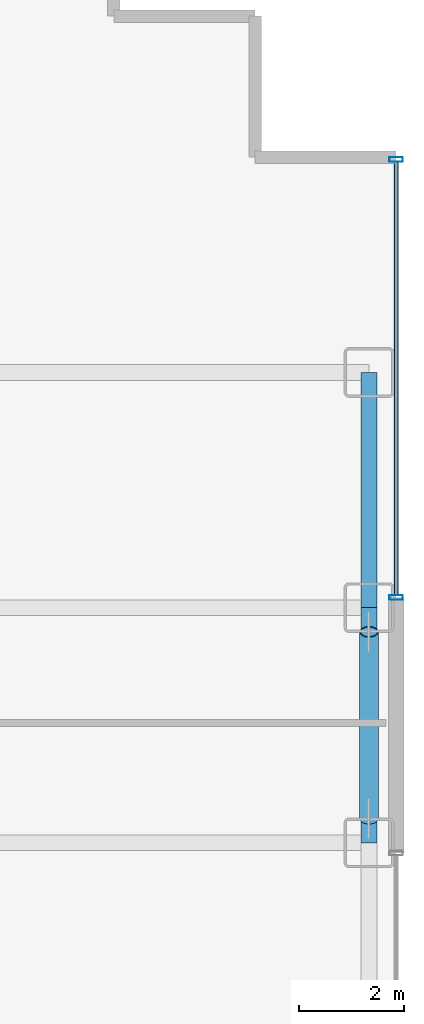
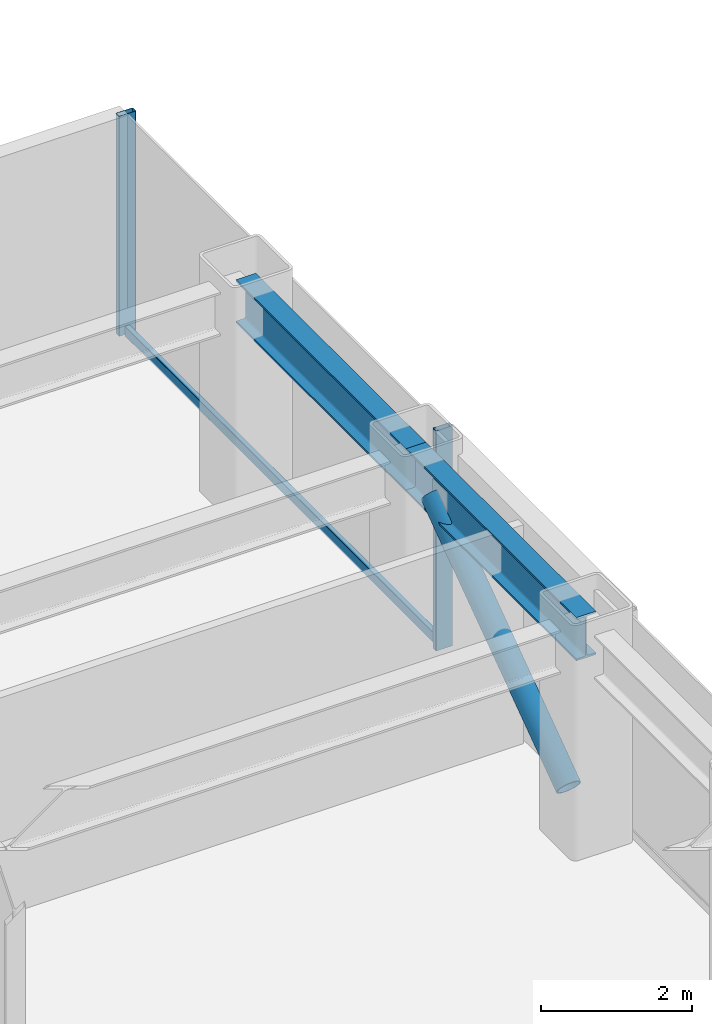
# One storey, part 19 of 29: 4 members, 2 beams, 1 element without a shape of its own.
"""IFC4 building model written with IfcOpenShell, lengths in metres."""

from ifc_helpers import new_model, si_unit, direction, frame, origin, origin_2d, place, context, subcontext, project, spatial, hollow_rectangle, hollow_circle, i_section, extrude, source, transform, mapped, material, layer, layer_set, material_profile, profile_set, type_object, element, aggregate, save


model = new_model("IFC4")

# Units and contexts
model_context = context("Model", 3, precision=1e-05, world=origin(), true_north=direction((0.0, 1.0)))
body_context = subcontext(model_context, "Body", "Model", "MODEL_VIEW")
ifc_project = project(units=[si_unit("LENGTHUNIT", "METRE"), si_unit("AREAUNIT", "SQUARE_METRE"), si_unit("VOLUMEUNIT", "CUBIC_METRE"), si_unit("PLANEANGLEUNIT", "RADIAN"), si_unit("MASSUNIT", "GRAM", prefix="KILO")], contexts=[model_context])

# Site, building, storey
site_placement = place(None, origin())
site = spatial("IfcSite", under=ifc_project, at=site_placement, CompositionType="ELEMENT")
building_placement = place(site_placement, origin())
building = spatial("IfcBuilding", under=site, at=building_placement, Name="Nefas-Gora Pilgrimage Tower", CompositionType="ELEMENT")
storey_placement = place(building_placement, frame((0.0, 0.0, 90.800048828125)))
storey = spatial("IfcBuildingStorey", under=building, at=storey_placement, Name="L21", CompositionType="ELEMENT", Elevation=90.800048828125)

# Beams
ifc_material_1 = material(Name="Steel S355", Category="steel")
ifc_material_profile_1 = material_profile(ifc_material_1, i_section(OverallWidth=0.300048828125, OverallDepth=0.699951171875, WebThickness=0.01708984375, FlangeThickness=0.031982421875, FilletRadius=0.027099609375, at=origin_2d()), Name="HEB 700")
ifc_profile_set_1 = profile_set([ifc_material_profile_1], Name="Steel S355")
beam_type = type_object("IfcBeamType", Name="BM-SPN-HEB600", PredefinedType="SPANDREL", material=ifc_profile_set_1)
shared_shape_1 = source(origin(), body_context, "Body", "SweptSolid", [
    extrude(i_section(OverallWidth=0.300048828125, OverallDepth=0.699951171875, WebThickness=0.01708984375, FlangeThickness=0.031982421875, FilletRadius=0.027099609375, at=origin_2d()), origin(), (0.0, 0.0, 1.0), 4.5),
])
for number, where, z_axis, x_axis, name in (
    (1, (33.75, 4.5, 3.199951171875), (0.0, 1.0, 0.0), (-1.0, 0.0, 0.0), "L21 SP-01 beam"),
    (2, (33.75, 9.0, 3.199951171875), (0.0, 1.0, 0.0), (-1.0, 0.0, 0.0), "L21 SP-01 beam"),
):
    element("IfcBeam", number, at=place(storey_placement, frame(where, z_axis=z_axis, x_axis=x_axis)), inside=storey, type_object=beam_type, Name=name, PredefinedType="SPANDREL", context=body_context, shape_type="MappedRepresentation", body=[
        mapped(shared_shape_1, transform((0.0, 0.0, 0.0), x_axis=(1.0, 0.0, 0.0), y_axis=(0.0, 1.0, 0.0), z_axis=(0.0, 0.0, 1.0), scale=1.0)),
    ])

# Member
ifc_material_2 = material(Name="Steel S460", Category="steel")
ifc_material_profile_2 = material_profile(ifc_material_2, hollow_circle(Radius=0.177734375, WallThickness=0.02001953125, at=origin_2d()), Name="CHS 355.6x20")
ifc_profile_set_2 = profile_set([ifc_material_profile_2], Name="Steel S460")
member_type_1 = type_object("IfcMemberType", Name="MEM-TUBE-356", PredefinedType="BRACE", material=ifc_profile_set_2)
shared_shape_2 = source(origin(), body_context, "Body", "SweptSolid", [
    extrude(hollow_circle(Radius=0.177734375, WallThickness=0.02001953125, at=origin_2d()), origin(), (0.0, 0.0, 1.0), 4.39501953125),
])
member_1_placement = place(storey_placement, frame((33.75, 4.962890625, 0.481201171875), z_axis=(0.0, 0.813264026864, 0.581894855287), x_axis=(-1.0, 0.0, 0.0)))
element("IfcMember", 3, at=member_1_placement, inside=storey, type_object=member_type_1, Name="L21 Perimeter Tube Diagonal Brace E2", PredefinedType="BRACE", context=body_context, shape_type="MappedRepresentation", body=[
    mapped(shared_shape_2, transform((0.0, 0.0, 0.0), x_axis=(1.0, 0.0, 0.0), y_axis=(0.0, 1.0, 0.0), z_axis=(0.0, 0.0, 1.0), scale=1.0)),
])

# Curtain wall, members
ifc_material_3 = material(Name="Dark ceramic-fritted solar-control aluminium-glass curtain wall", Category="aluminium")
ifc_layer = layer(ifc_material_3, 0.219970703125)
ifc_layer_set = layer_set([ifc_layer], Name="Dark ceramic-fritted solar-control aluminium-glass curtain wall")
curtain_wall_type = type_object("IfcCurtainWallType", Name="CW-SYS-2", PredefinedType="NOTDEFINED", material=ifc_layer_set)
curtain_wall_placement = place(storey_placement, origin())
curtain_wall = element("IfcCurtainWall", 4, at=curtain_wall_placement, inside=storey, type_object=curtain_wall_type, Name="L21 Unitised Curtain Wall CW2", PredefinedType="NOTDEFINED")
ifc_material_4 = material(Name="Anodised architectural aluminium", Category="aluminium")
ifc_material_profile_3 = material_profile(ifc_material_4, hollow_rectangle(XDim=0.090087890625, YDim=0.260009765625, WallThickness=0.006103515625, InnerFilletRadius=0.006103515625, OuterFilletRadius=0.011962890625, at=origin_2d()), Name="ALU MULLION 90x260")
ifc_profile_set_3 = profile_set([ifc_material_profile_3], Name="Anodised architectural aluminium")
member_type_2 = type_object("IfcMemberType", Name="CWM-MUL-2", PredefinedType="MULLION", material=ifc_profile_set_3)
shared_shape_3 = source(origin(), body_context, "Body", "SweptSolid", [
    extrude(hollow_rectangle(XDim=0.090087890625, YDim=0.260009765625, WallThickness=0.006103515625, InnerFilletRadius=0.006103515625, OuterFilletRadius=0.011962890625, at=origin_2d()), origin(), (0.0, 0.0, 1.0), 3.550048828125),
])
member_2_placement = place(storey_placement, frame((34.27001953125, 9.195068359375, 0.0), z_axis=(0.0, 0.0, 1.0), x_axis=(0.0, 1.0, 0.0)))
member_2 = element("IfcMember", 5, at=member_2_placement, type_object=member_type_2, Name="CW2 Mullion 1", PredefinedType="MULLION", context=body_context, shape_type="MappedRepresentation", body=[
    mapped(shared_shape_3, transform((0.0, 0.0, 0.0), x_axis=(1.0, 0.0, 0.0), y_axis=(0.0, 1.0, 0.0), z_axis=(0.0, 0.0, 1.0), scale=1.0)),
])
member_3_placement = place(storey_placement, frame((34.27001953125, 17.574951171875, 0.0), z_axis=(0.0, 0.0, 1.0), x_axis=(0.0, 1.0, 0.0)))
member_3 = element("IfcMember", 6, at=member_3_placement, type_object=member_type_2, Name="CW2 Mullion 2", PredefinedType="MULLION", context=body_context, shape_type="MappedRepresentation", body=[
    mapped(shared_shape_3, transform((0.0, 0.0, 0.0), x_axis=(1.0, 0.0, 0.0), y_axis=(0.0, 1.0, 0.0), z_axis=(0.0, 0.0, 1.0), scale=1.0)),
])
ifc_material_profile_4 = material_profile(ifc_material_4, hollow_rectangle(XDim=0.080078125, YDim=0.159912109375, WallThickness=0.00439453125, InnerFilletRadius=0.00439453125, OuterFilletRadius=0.009033203125, at=origin_2d()), Name="ALU TRANSOM 80x160")
ifc_profile_set_4 = profile_set([ifc_material_profile_4], Name="Anodised architectural aluminium")
member_type_3 = type_object("IfcMemberType", Name="CWM-TRN-2", PredefinedType="USERDEFINED", material=ifc_profile_set_4)
shared_shape_4 = source(origin(), body_context, "Body", "SweptSolid", [
    extrude(hollow_rectangle(XDim=0.080078125, YDim=0.159912109375, WallThickness=0.00439453125, InnerFilletRadius=0.00439453125, OuterFilletRadius=0.009033203125, at=origin_2d()), origin(), (0.0, 0.0, 1.0), 8.2900390625),
])
member_4_placement = place(storey_placement, frame((34.27001953125, 9.239990234375, 0.050048828125), z_axis=(0.0, 1.0, 0.0), x_axis=(-1.0, 0.0, 0.0)))
member_4 = element("IfcMember", 7, at=member_4_placement, type_object=member_type_3, Name="CW2 Spandrel Transom", ObjectType="TRANSOM", PredefinedType="USERDEFINED", context=body_context, shape_type="MappedRepresentation", body=[
    mapped(shared_shape_4, transform((0.0, 0.0, 0.0), x_axis=(1.0, 0.0, 0.0), y_axis=(0.0, 1.0, 0.0), z_axis=(0.0, 0.0, 1.0), scale=1.0)),
])
aggregate(curtain_wall, [member_2, member_3, member_4])

save(model, "model.ifc")
